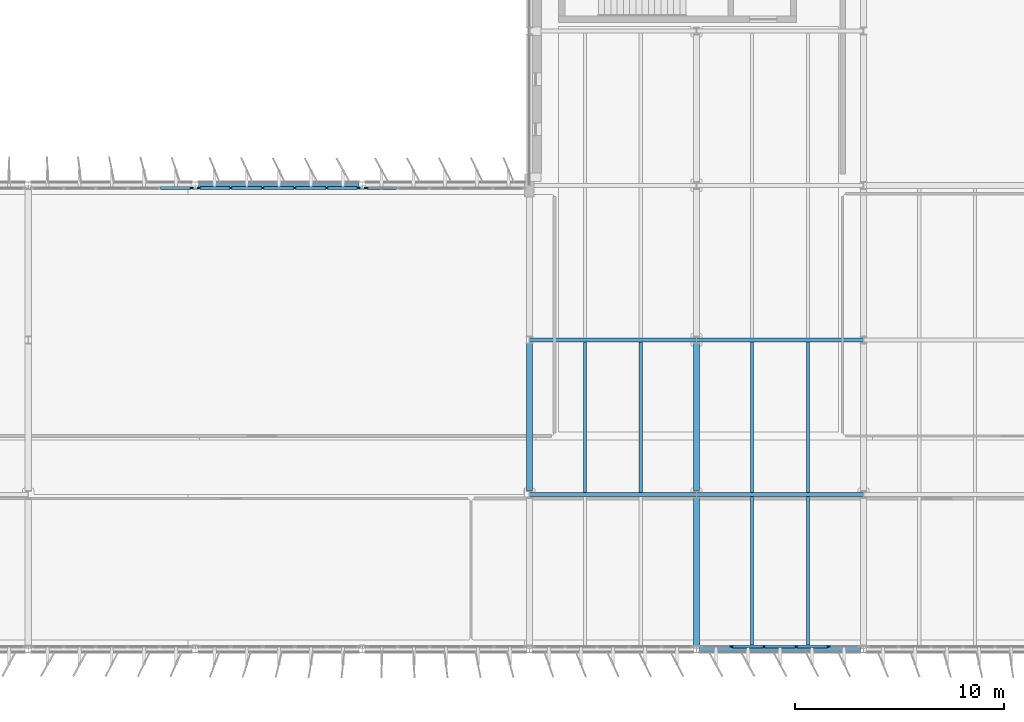
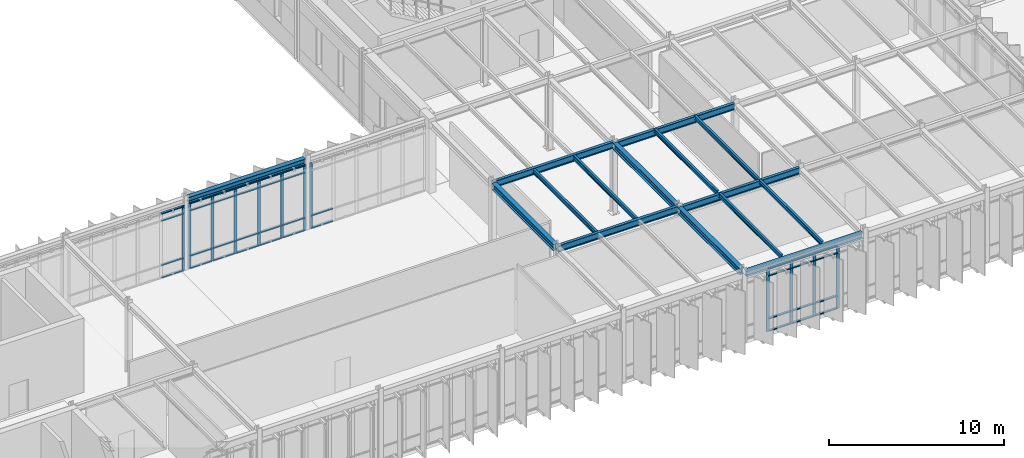
# One storey, part 17 of 48: 50 members, 15 beams, 4 elements without a shape of their own.
"""IFC4 building model written with IfcOpenShell, lengths in metres."""

from ifc_helpers import new_model, si_unit, direction, frame, origin, origin_2d, place, context, subcontext, project, spatial, rectangle, i_section, extrude, material, layer, layer_set, material_profile, profile_set, type_object, element, aggregate, save


model = new_model("IFC4")

# Units and contexts
model_context = context("Model", 3, precision=1e-05, world=origin(), true_north=direction((0.0, 1.0)))
body_context = subcontext(model_context, "Body", "Model", "MODEL_VIEW")
ifc_project = project(units=[si_unit("LENGTHUNIT", "METRE"), si_unit("AREAUNIT", "SQUARE_METRE"), si_unit("VOLUMEUNIT", "CUBIC_METRE"), si_unit("PLANEANGLEUNIT", "RADIAN"), si_unit("MASSUNIT", "GRAM", prefix="KILO")], contexts=[model_context])

# Site, building, storey
site_placement = place(None, origin())
site = spatial("IfcSite", under=ifc_project, at=site_placement, CompositionType="ELEMENT")
building_placement = place(site_placement, origin())
building = spatial("IfcBuilding", under=site, at=building_placement, Name="Valkorina Park Police Headquarters", CompositionType="ELEMENT")
storey_placement = place(building_placement, frame((0.0, 0.0, 18.10009765625)))
storey = spatial("IfcBuildingStorey", under=building, at=storey_placement, Name="L05", CompositionType="ELEMENT", Elevation=18.10009765625)

# Beams
ifc_material_1 = material(Name="Steel S355", Category="steel")
ifc_material_profile_1 = material_profile(ifc_material_1, i_section(OverallWidth=0.300048828125, OverallDepth=0.389892578125, WebThickness=0.010986328125, FlangeThickness=0.01904296875, FilletRadius=0.027099609375, at=origin_2d()), Name="HEA 400")
ifc_profile_set_1 = profile_set([ifc_material_profile_1], Name="Steel S355")
beam_type_1 = type_object("IfcBeamType", Name="BM-S355-HEA400-SPN", PredefinedType="SPANDREL", material=ifc_profile_set_1)
for number, where, z_axis, x_axis, name in (
    (1, (88.949951171875, 37.0, 4.6748046875), (1.0, 0.0, 0.0), (0.0, 1.0, 0.0), "L05 Framing Beam 2465"),
    (2, (64.949951171875, 59.199951171875, 4.784912109375), (1.0, 0.0, 0.0), (0.0, 1.0, 0.0), "L05 Framing Beam 2495"),
):
    element("IfcBeam", number, at=place(storey_placement, frame(where, z_axis=z_axis, x_axis=x_axis)), inside=storey, type_object=beam_type_1, Name=name, PredefinedType="SPANDREL", context=body_context, shape_type="SweptSolid", body=[
        extrude(i_section(OverallWidth=0.300048828125, OverallDepth=0.389892578125, WebThickness=0.010986328125, FlangeThickness=0.01904296875, FilletRadius=0.027099609375, at=origin_2d()), origin(), (0.0, 0.0, 1.0), 7.699951171875),
    ])
ifc_material_profile_2 = material_profile(ifc_material_1, i_section(OverallWidth=0.300048828125, OverallDepth=0.449951171875, WebThickness=0.013916015625, FlangeThickness=0.02587890625, FilletRadius=0.027099609375, at=origin_2d()), Name="HEB 450")
ifc_profile_set_2 = profile_set([ifc_material_profile_2], Name="Steel S355")
beam_type_2 = type_object("IfcBeamType", Name="BM-S355-HEB450-BM", PredefinedType="BEAM", material=ifc_profile_set_2)
for number, where, z_axis, x_axis, name in (
    (3, (80.800048828125, 44.580078125, 4.7548828125), (0.0, 1.0, 0.0), (-1.0, 0.0, 0.0), "L05 Framing Beam 2550"),
    (4, (88.800048828125, 37.179931640625, 4.7548828125), (0.0, 1.0, 0.0), (-1.0, 0.0, 0.0), "L05 Framing Beam 2563"),
    (5, (88.800048828125, 44.580078125, 4.7548828125), (0.0, 1.0, 0.0), (-1.0, 0.0, 0.0), "L05 Framing Beam 2566"),
):
    element("IfcBeam", number, at=place(storey_placement, frame(where, z_axis=z_axis, x_axis=x_axis)), inside=storey, type_object=beam_type_2, Name=name, PredefinedType="BEAM", context=body_context, shape_type="SweptSolid", body=[
        extrude(i_section(OverallWidth=0.300048828125, OverallDepth=0.449951171875, WebThickness=0.013916015625, FlangeThickness=0.02587890625, FilletRadius=0.027099609375, at=origin_2d()), origin(), (0.0, 0.0, 1.0), 7.0400390625),
    ])
ifc_material_profile_3 = material_profile(ifc_material_1, i_section(OverallWidth=0.14990234375, OverallDepth=0.300048828125, WebThickness=0.007080078125, FlangeThickness=0.0107421875, FilletRadius=0.014892578125, at=origin_2d()), Name="IPE 300")
ifc_profile_set_3 = profile_set([ifc_material_profile_3], Name="Steel S355")
beam_type_3 = type_object("IfcBeamType", Name="BM-S355-IPE300-JST", PredefinedType="JOIST", material=ifc_profile_set_3)
for number, where, z_axis, x_axis, name in (
    (6, (83.466796875, 44.4951171875, 4.829833984375), (0.0, 1.0, 0.0), (-1.0, 0.0, 0.0), "L05 Framing Beam 2551"),
    (7, (86.13330078125, 44.4951171875, 4.829833984375), (0.0, 1.0, 0.0), (-1.0, 0.0, 0.0), "L05 Framing Beam 2552"),
):
    element("IfcBeam", number, at=place(storey_placement, frame(where, z_axis=z_axis, x_axis=x_axis)), inside=storey, type_object=beam_type_3, Name=name, PredefinedType="JOIST", context=body_context, shape_type="SweptSolid", body=[
        extrude(i_section(OverallWidth=0.14990234375, OverallDepth=0.300048828125, WebThickness=0.007080078125, FlangeThickness=0.0107421875, FilletRadius=0.014892578125, at=origin_2d()), origin(), (0.0, 0.0, 1.0), 7.2099609375),
    ])
for number, where, z_axis, x_axis, name in (
    (8, (91.466796875, 37.14990234375, 4.829833984375), (0.0, 1.0, 0.0), (-1.0, 0.0, 0.0), "L05 Framing Beam 2564"),
    (9, (94.13330078125, 37.14990234375, 4.829833984375), (0.0, 1.0, 0.0), (-1.0, 0.0, 0.0), "L05 Framing Beam 2565"),
):
    element("IfcBeam", number, at=place(storey_placement, frame(where, z_axis=z_axis, x_axis=x_axis)), inside=storey, type_object=beam_type_3, Name=name, PredefinedType="JOIST", context=body_context, shape_type="SweptSolid", body=[
        extrude(i_section(OverallWidth=0.14990234375, OverallDepth=0.300048828125, WebThickness=0.007080078125, FlangeThickness=0.0107421875, FilletRadius=0.014892578125, at=origin_2d()), origin(), (0.0, 0.0, 1.0), 7.155029296875),
    ])
for number, where, z_axis, x_axis, name in (
    (10, (91.466796875, 44.4951171875, 4.829833984375), (0.0, 1.0, 0.0), (-1.0, 0.0, 0.0), "L05 Framing Beam 2567"),
    (11, (94.13330078125, 44.4951171875, 4.829833984375), (0.0, 1.0, 0.0), (-1.0, 0.0, 0.0), "L05 Framing Beam 2568"),
):
    element("IfcBeam", number, at=place(storey_placement, frame(where, z_axis=z_axis, x_axis=x_axis)), inside=storey, type_object=beam_type_3, Name=name, PredefinedType="JOIST", context=body_context, shape_type="SweptSolid", body=[
        extrude(i_section(OverallWidth=0.14990234375, OverallDepth=0.300048828125, WebThickness=0.007080078125, FlangeThickness=0.0107421875, FilletRadius=0.014892578125, at=origin_2d()), origin(), (0.0, 0.0, 1.0), 7.2099609375),
    ])
ifc_material_profile_4 = material_profile(ifc_material_1, i_section(OverallWidth=0.18994140625, OverallDepth=0.449951171875, WebThickness=0.009521484375, FlangeThickness=0.0146484375, FilletRadius=0.02099609375, at=origin_2d()), Name="IPE 450")
ifc_profile_set_4 = profile_set([ifc_material_profile_4], Name="Steel S355")
beam_type_4 = type_object("IfcBeamType", Name="BM-S355-IPE450-BM", PredefinedType="BEAM", material=ifc_profile_set_4)
for number, where, z_axis, x_axis, name in (
    (12, (80.806396484375, 44.39990234375, 4.7548828125), (1.0, 0.0, 0.0), (0.0, 1.0, 0.0), "L05 Framing Beam 2475"),
    (13, (88.806396484375, 44.39990234375, 4.64501953125), (1.0, 0.0, 0.0), (0.0, 1.0, 0.0), "L05 Framing Beam 2476"),
    (14, (80.806396484375, 51.800048828125, 4.7548828125), (1.0, 0.0, 0.0), (0.0, 1.0, 0.0), "L05 Framing Beam 2483"),
    (15, (88.806396484375, 51.800048828125, 4.64501953125), (1.0, 0.0, 0.0), (0.0, 1.0, 0.0), "L05 Framing Beam 2484"),
):
    element("IfcBeam", number, at=place(storey_placement, frame(where, z_axis=z_axis, x_axis=x_axis)), inside=storey, type_object=beam_type_4, Name=name, PredefinedType="BEAM", context=body_context, shape_type="SweptSolid", body=[
        extrude(i_section(OverallWidth=0.18994140625, OverallDepth=0.449951171875, WebThickness=0.009521484375, FlangeThickness=0.0146484375, FilletRadius=0.02099609375, at=origin_2d()), origin(), (0.0, 0.0, 1.0), 7.9873046875),
    ])

# Curtain wall, members
ifc_material_2 = material(Name="Thermally broken aluminium AW-6060", Category="aluminium")
ifc_layer_1 = layer(ifc_material_2, 0.18994140625)
ifc_layer_set_1 = layer_set([ifc_layer_1], Name="Thermally broken aluminium AW-6060")
curtain_wall_type_1 = type_object("IfcCurtainWallType", Name="CW-V5-7680x4410", PredefinedType="NOTDEFINED", material=ifc_layer_set_1)
curtain_wall_1_placement = place(storey_placement, origin())
curtain_wall_1 = element("IfcCurtainWall", 16, at=curtain_wall_1_placement, inside=storey, type_object=curtain_wall_type_1, Name="L05 Unitised Curtain Wall 063", PredefinedType="NOTDEFINED")
ifc_material_profile_5 = material_profile(ifc_material_2, rectangle(XDim=0.070068359375, YDim=0.18994140625, at=origin_2d()), Name="CWM-02 70x190")
ifc_profile_set_5 = profile_set([ifc_material_profile_5], Name="Thermally broken aluminium AW-6060")
member_type_1 = type_object("IfcMemberType", Name="CWM-70x190", PredefinedType="MULLION", material=ifc_profile_set_5)
member_1_placement = place(storey_placement, frame((95.10400390625, 37.1201171875, 0.0), z_axis=(0.0, 0.0, 1.0), x_axis=(0.0, -1.0, 0.0)))
member_1 = element("IfcMember", 17, at=member_1_placement, type_object=member_type_1, Name="CW-V5-768-441 mullion 2", PredefinedType="MULLION", context=body_context, shape_type="SweptSolid", body=[
    extrude(rectangle(XDim=0.070068359375, YDim=0.18994140625, at=origin_2d()), origin(), (0.0, 0.0, 1.0), 4.409912109375),
])
member_2_placement = place(storey_placement, frame((93.568115234375, 37.1201171875, 0.0), z_axis=(0.0, 0.0, 1.0), x_axis=(0.0, -1.0, 0.0)))
member_2 = element("IfcMember", 18, at=member_2_placement, type_object=member_type_1, Name="CW-V5-768-441 mullion 3", PredefinedType="MULLION", context=body_context, shape_type="SweptSolid", body=[
    extrude(rectangle(XDim=0.070068359375, YDim=0.18994140625, at=origin_2d()), origin(), (0.0, 0.0, 1.0), 4.409912109375),
])
member_3_placement = place(storey_placement, frame((92.031982421875, 37.1201171875, 0.0), z_axis=(0.0, 0.0, 1.0), x_axis=(0.0, -1.0, 0.0)))
member_3 = element("IfcMember", 19, at=member_3_placement, type_object=member_type_1, Name="CW-V5-768-441 mullion 4", PredefinedType="MULLION", context=body_context, shape_type="SweptSolid", body=[
    extrude(rectangle(XDim=0.070068359375, YDim=0.18994140625, at=origin_2d()), origin(), (0.0, 0.0, 1.0), 4.409912109375),
])
member_4_placement = place(storey_placement, frame((90.49609375, 37.1201171875, 0.0), z_axis=(0.0, 0.0, 1.0), x_axis=(0.0, -1.0, 0.0)))
member_4 = element("IfcMember", 20, at=member_4_placement, type_object=member_type_1, Name="CW-V5-768-441 mullion 5", PredefinedType="MULLION", context=body_context, shape_type="SweptSolid", body=[
    extrude(rectangle(XDim=0.070068359375, YDim=0.18994140625, at=origin_2d()), origin(), (0.0, 0.0, 1.0), 4.409912109375),
])

# Curtain wall, member
ifc_layer_2 = layer(ifc_material_2, 0.18994140625)
ifc_layer_set_2 = layer_set([ifc_layer_2], Name="Thermally broken aluminium AW-6060")
curtain_wall_type_2 = type_object("IfcCurtainWallType", Name="CW-V5-7680x4520", PredefinedType="NOTDEFINED", material=ifc_layer_set_2)
curtain_wall_2_placement = place(storey_placement, origin())
curtain_wall_2 = element("IfcCurtainWall", 21, at=curtain_wall_2_placement, inside=storey, type_object=curtain_wall_type_2, Name="L05 Unitised Curtain Wall 085", PredefinedType="NOTDEFINED")
member_5_placement = place(storey_placement, frame((64.60498046875, 59.080078125, 0.0), z_axis=(0.0, 0.0, 1.0), x_axis=(0.0, 1.0, 0.0)))
member_5 = element("IfcMember", 22, at=member_5_placement, type_object=member_type_1, Name="CW-V5-768-452 mullion 6", PredefinedType="MULLION", context=body_context, shape_type="SweptSolid", body=[
    extrude(rectangle(XDim=0.070068359375, YDim=0.18994140625, at=origin_2d()), origin(), (0.0, 0.0, 1.0), 4.52001953125),
])

# Curtain wall, members
ifc_layer_3 = layer(ifc_material_2, 0.18994140625)
ifc_layer_set_3 = layer_set([ifc_layer_3], Name="Thermally broken aluminium AW-6060")
curtain_wall_type_3 = type_object("IfcCurtainWallType", Name="CW-V5-7680x4580", PredefinedType="NOTDEFINED", material=ifc_layer_set_3)
curtain_wall_3_placement = place(storey_placement, origin())
curtain_wall_3 = element("IfcCurtainWall", 23, at=curtain_wall_3_placement, inside=storey, type_object=curtain_wall_type_3, Name="L05 Unitised Curtain Wall 086", PredefinedType="NOTDEFINED")
member_6_placement = place(storey_placement, frame((64.9951171875, 59.080078125, 0.0), z_axis=(0.0, 0.0, 1.0), x_axis=(0.0, 1.0, 0.0)))
member_6 = element("IfcMember", 24, at=member_6_placement, type_object=member_type_1, Name="CW-V5-768-458 mullion 1", PredefinedType="MULLION", context=body_context, shape_type="SweptSolid", body=[
    extrude(rectangle(XDim=0.070068359375, YDim=0.18994140625, at=origin_2d()), origin(), (0.0, 0.0, 1.0), 4.579833984375),
])
member_7_placement = place(storey_placement, frame((66.49609375, 59.080078125, 0.0), z_axis=(0.0, 0.0, 1.0), x_axis=(0.0, 1.0, 0.0)))
member_7 = element("IfcMember", 25, at=member_7_placement, type_object=member_type_1, Name="CW-V5-768-458 mullion 2", PredefinedType="MULLION", context=body_context, shape_type="SweptSolid", body=[
    extrude(rectangle(XDim=0.070068359375, YDim=0.18994140625, at=origin_2d()), origin(), (0.0, 0.0, 1.0), 4.579833984375),
])
member_8_placement = place(storey_placement, frame((68.031982421875, 59.080078125, 0.0), z_axis=(0.0, 0.0, 1.0), x_axis=(0.0, 1.0, 0.0)))
member_8 = element("IfcMember", 26, at=member_8_placement, type_object=member_type_1, Name="CW-V5-768-458 mullion 3", PredefinedType="MULLION", context=body_context, shape_type="SweptSolid", body=[
    extrude(rectangle(XDim=0.070068359375, YDim=0.18994140625, at=origin_2d()), origin(), (0.0, 0.0, 1.0), 4.579833984375),
])
member_9_placement = place(storey_placement, frame((69.568115234375, 59.080078125, 0.0), z_axis=(0.0, 0.0, 1.0), x_axis=(0.0, 1.0, 0.0)))
member_9 = element("IfcMember", 27, at=member_9_placement, type_object=member_type_1, Name="CW-V5-768-458 mullion 4", PredefinedType="MULLION", context=body_context, shape_type="SweptSolid", body=[
    extrude(rectangle(XDim=0.070068359375, YDim=0.18994140625, at=origin_2d()), origin(), (0.0, 0.0, 1.0), 4.579833984375),
])
member_10_placement = place(storey_placement, frame((71.10400390625, 59.080078125, 0.0), z_axis=(0.0, 0.0, 1.0), x_axis=(0.0, 1.0, 0.0)))
member_10 = element("IfcMember", 28, at=member_10_placement, type_object=member_type_1, Name="CW-V5-768-458 mullion 5", PredefinedType="MULLION", context=body_context, shape_type="SweptSolid", body=[
    extrude(rectangle(XDim=0.070068359375, YDim=0.18994140625, at=origin_2d()), origin(), (0.0, 0.0, 1.0), 4.579833984375),
])
member_11_placement = place(storey_placement, frame((72.60498046875, 59.080078125, 0.0), z_axis=(0.0, 0.0, 1.0), x_axis=(0.0, 1.0, 0.0)))
member_11 = element("IfcMember", 29, at=member_11_placement, type_object=member_type_1, Name="CW-V5-768-458 mullion 6", PredefinedType="MULLION", context=body_context, shape_type="SweptSolid", body=[
    extrude(rectangle(XDim=0.070068359375, YDim=0.18994140625, at=origin_2d()), origin(), (0.0, 0.0, 1.0), 4.579833984375),
])

# Curtain wall, member
ifc_layer_4 = layer(ifc_material_2, 0.18994140625)
ifc_layer_set_4 = layer_set([ifc_layer_4], Name="Thermally broken aluminium AW-6060")
curtain_wall_type_4 = type_object("IfcCurtainWallType", Name="CW-V5-7600x4580", PredefinedType="NOTDEFINED", material=ifc_layer_set_4)
curtain_wall_4_placement = place(storey_placement, origin())
curtain_wall_4 = element("IfcCurtainWall", 30, at=curtain_wall_4_placement, inside=storey, type_object=curtain_wall_type_4, Name="L05 Unitised Curtain Wall 087", PredefinedType="NOTDEFINED")
member_12_placement = place(storey_placement, frame((72.9951171875, 59.080078125, 0.0), z_axis=(0.0, 0.0, 1.0), x_axis=(0.0, 1.0, 0.0)))
member_12 = element("IfcMember", 31, at=member_12_placement, type_object=member_type_1, Name="CW-V5-760-458 mullion 1", PredefinedType="MULLION", context=body_context, shape_type="SweptSolid", body=[
    extrude(rectangle(XDim=0.070068359375, YDim=0.18994140625, at=origin_2d()), origin(), (0.0, 0.0, 1.0), 4.579833984375),
])

# Member
ifc_material_profile_6 = material_profile(ifc_material_2, rectangle(XDim=0.14990234375, YDim=0.070068359375, at=origin_2d()), Name="CWT-02 150x70")
ifc_profile_set_6 = profile_set([ifc_material_profile_6], Name="Thermally broken aluminium AW-6060")
member_type_2 = type_object("IfcMemberType", Name="CWT-150x70", PredefinedType="USERDEFINED", material=ifc_profile_set_6)
member_13_placement = place(storey_placement, frame((95.069091796875, 37.1201171875, 0.034912109375), z_axis=(-1.0, 0.0, 0.0), x_axis=(0.0, -1.0, 0.0)))
member_13 = element("IfcMember", 32, at=member_13_placement, type_object=member_type_2, Name="CW-V5-768-441 transom 2.1", ObjectType="TRANSOM", PredefinedType="USERDEFINED", context=body_context, shape_type="SweptSolid", body=[
    extrude(rectangle(XDim=0.14990234375, YDim=0.070068359375, at=origin_2d()), origin(), (0.0, 0.0, 1.0), 1.466064453125),
])

member_14_placement = place(storey_placement, frame((95.069091796875, 37.1201171875, 0.89990234375), z_axis=(-1.0, 0.0, 0.0), x_axis=(0.0, -1.0, 0.0)))
member_14 = element("IfcMember", 33, at=member_14_placement, type_object=member_type_2, Name="CW-V5-768-441 transom 2.2", ObjectType="TRANSOM", PredefinedType="USERDEFINED", context=body_context, shape_type="SweptSolid", body=[
    extrude(rectangle(XDim=0.14990234375, YDim=0.070068359375, at=origin_2d()), origin(), (0.0, 0.0, 1.0), 1.466064453125),
])

member_15_placement = place(storey_placement, frame((95.069091796875, 37.1201171875, 3.889892578125), z_axis=(-1.0, 0.0, 0.0), x_axis=(0.0, -1.0, 0.0)))
member_15 = element("IfcMember", 34, at=member_15_placement, type_object=member_type_2, Name="CW-V5-768-441 transom 2.3", ObjectType="TRANSOM", PredefinedType="USERDEFINED", context=body_context, shape_type="SweptSolid", body=[
    extrude(rectangle(XDim=0.14990234375, YDim=0.070068359375, at=origin_2d()), origin(), (0.0, 0.0, 1.0), 1.466064453125),
])

member_16_placement = place(storey_placement, frame((95.069091796875, 37.1201171875, 4.375), z_axis=(-1.0, 0.0, 0.0), x_axis=(0.0, -1.0, 0.0)))
member_16 = element("IfcMember", 35, at=member_16_placement, type_object=member_type_2, Name="CW-V5-768-441 transom 2.4", ObjectType="TRANSOM", PredefinedType="USERDEFINED", context=body_context, shape_type="SweptSolid", body=[
    extrude(rectangle(XDim=0.14990234375, YDim=0.070068359375, at=origin_2d()), origin(), (0.0, 0.0, 1.0), 1.466064453125),
])

member_17_placement = place(storey_placement, frame((93.532958984375, 37.1201171875, 0.034912109375), z_axis=(-1.0, 0.0, 0.0), x_axis=(0.0, -1.0, 0.0)))
member_17 = element("IfcMember", 36, at=member_17_placement, type_object=member_type_2, Name="CW-V5-768-441 transom 3.1", ObjectType="TRANSOM", PredefinedType="USERDEFINED", context=body_context, shape_type="SweptSolid", body=[
    extrude(rectangle(XDim=0.14990234375, YDim=0.070068359375, at=origin_2d()), origin(), (0.0, 0.0, 1.0), 1.466064453125),
])

member_18_placement = place(storey_placement, frame((93.532958984375, 37.1201171875, 0.89990234375), z_axis=(-1.0, 0.0, 0.0), x_axis=(0.0, -1.0, 0.0)))
member_18 = element("IfcMember", 37, at=member_18_placement, type_object=member_type_2, Name="CW-V5-768-441 transom 3.2", ObjectType="TRANSOM", PredefinedType="USERDEFINED", context=body_context, shape_type="SweptSolid", body=[
    extrude(rectangle(XDim=0.14990234375, YDim=0.070068359375, at=origin_2d()), origin(), (0.0, 0.0, 1.0), 1.466064453125),
])

member_19_placement = place(storey_placement, frame((93.532958984375, 37.1201171875, 3.889892578125), z_axis=(-1.0, 0.0, 0.0), x_axis=(0.0, -1.0, 0.0)))
member_19 = element("IfcMember", 38, at=member_19_placement, type_object=member_type_2, Name="CW-V5-768-441 transom 3.3", ObjectType="TRANSOM", PredefinedType="USERDEFINED", context=body_context, shape_type="SweptSolid", body=[
    extrude(rectangle(XDim=0.14990234375, YDim=0.070068359375, at=origin_2d()), origin(), (0.0, 0.0, 1.0), 1.466064453125),
])

member_20_placement = place(storey_placement, frame((93.532958984375, 37.1201171875, 4.375), z_axis=(-1.0, 0.0, 0.0), x_axis=(0.0, -1.0, 0.0)))
member_20 = element("IfcMember", 39, at=member_20_placement, type_object=member_type_2, Name="CW-V5-768-441 transom 3.4", ObjectType="TRANSOM", PredefinedType="USERDEFINED", context=body_context, shape_type="SweptSolid", body=[
    extrude(rectangle(XDim=0.14990234375, YDim=0.070068359375, at=origin_2d()), origin(), (0.0, 0.0, 1.0), 1.466064453125),
])

member_21_placement = place(storey_placement, frame((91.9970703125, 37.1201171875, 0.034912109375), z_axis=(-1.0, 0.0, 0.0), x_axis=(0.0, -1.0, 0.0)))
member_21 = element("IfcMember", 40, at=member_21_placement, type_object=member_type_2, Name="CW-V5-768-441 transom 4.1", ObjectType="TRANSOM", PredefinedType="USERDEFINED", context=body_context, shape_type="SweptSolid", body=[
    extrude(rectangle(XDim=0.14990234375, YDim=0.070068359375, at=origin_2d()), origin(), (0.0, 0.0, 1.0), 1.466064453125),
])

member_22_placement = place(storey_placement, frame((91.9970703125, 37.1201171875, 0.89990234375), z_axis=(-1.0, 0.0, 0.0), x_axis=(0.0, -1.0, 0.0)))
member_22 = element("IfcMember", 41, at=member_22_placement, type_object=member_type_2, Name="CW-V5-768-441 transom 4.2", ObjectType="TRANSOM", PredefinedType="USERDEFINED", context=body_context, shape_type="SweptSolid", body=[
    extrude(rectangle(XDim=0.14990234375, YDim=0.070068359375, at=origin_2d()), origin(), (0.0, 0.0, 1.0), 1.466064453125),
])

member_23_placement = place(storey_placement, frame((91.9970703125, 37.1201171875, 3.889892578125), z_axis=(-1.0, 0.0, 0.0), x_axis=(0.0, -1.0, 0.0)))
member_23 = element("IfcMember", 42, at=member_23_placement, type_object=member_type_2, Name="CW-V5-768-441 transom 4.3", ObjectType="TRANSOM", PredefinedType="USERDEFINED", context=body_context, shape_type="SweptSolid", body=[
    extrude(rectangle(XDim=0.14990234375, YDim=0.070068359375, at=origin_2d()), origin(), (0.0, 0.0, 1.0), 1.466064453125),
])

member_24_placement = place(storey_placement, frame((91.9970703125, 37.1201171875, 4.375), z_axis=(-1.0, 0.0, 0.0), x_axis=(0.0, -1.0, 0.0)))
member_24 = element("IfcMember", 43, at=member_24_placement, type_object=member_type_2, Name="CW-V5-768-441 transom 4.4", ObjectType="TRANSOM", PredefinedType="USERDEFINED", context=body_context, shape_type="SweptSolid", body=[
    extrude(rectangle(XDim=0.14990234375, YDim=0.070068359375, at=origin_2d()), origin(), (0.0, 0.0, 1.0), 1.466064453125),
])

aggregate(curtain_wall_1, [member_1, member_2, member_3, member_4, member_13, member_14, member_15, member_16, member_17, member_18, member_19, member_20, member_21, member_22, member_23, member_24])

member_25_placement = place(storey_placement, frame((63.138916015625, 59.080078125, 0.034912109375), z_axis=(1.0, 0.0, 0.0), x_axis=(0.0, 1.0, 0.0)))
member_25 = element("IfcMember", 44, at=member_25_placement, type_object=member_type_2, Name="CW-V5-768-452 transom 5.1", ObjectType="TRANSOM", PredefinedType="USERDEFINED", context=body_context, shape_type="SweptSolid", body=[
    extrude(rectangle(XDim=0.14990234375, YDim=0.070068359375, at=origin_2d()), origin(), (0.0, 0.0, 1.0), 1.43115234375),
])

member_26_placement = place(storey_placement, frame((63.138916015625, 59.080078125, 0.89990234375), z_axis=(1.0, 0.0, 0.0), x_axis=(0.0, 1.0, 0.0)))
member_26 = element("IfcMember", 45, at=member_26_placement, type_object=member_type_2, Name="CW-V5-768-452 transom 5.2", ObjectType="TRANSOM", PredefinedType="USERDEFINED", context=body_context, shape_type="SweptSolid", body=[
    extrude(rectangle(XDim=0.14990234375, YDim=0.070068359375, at=origin_2d()), origin(), (0.0, 0.0, 1.0), 1.43115234375),
])

member_27_placement = place(storey_placement, frame((63.138916015625, 59.080078125, 4.0), z_axis=(1.0, 0.0, 0.0), x_axis=(0.0, 1.0, 0.0)))
member_27 = element("IfcMember", 46, at=member_27_placement, type_object=member_type_2, Name="CW-V5-768-452 transom 5.3", ObjectType="TRANSOM", PredefinedType="USERDEFINED", context=body_context, shape_type="SweptSolid", body=[
    extrude(rectangle(XDim=0.14990234375, YDim=0.070068359375, at=origin_2d()), origin(), (0.0, 0.0, 1.0), 1.43115234375),
])

member_28_placement = place(storey_placement, frame((63.138916015625, 59.080078125, 4.48486328125), z_axis=(1.0, 0.0, 0.0), x_axis=(0.0, 1.0, 0.0)))
member_28 = element("IfcMember", 47, at=member_28_placement, type_object=member_type_2, Name="CW-V5-768-452 transom 5.4", ObjectType="TRANSOM", PredefinedType="USERDEFINED", context=body_context, shape_type="SweptSolid", body=[
    extrude(rectangle(XDim=0.14990234375, YDim=0.070068359375, at=origin_2d()), origin(), (0.0, 0.0, 1.0), 1.43115234375),
])

aggregate(curtain_wall_2, [member_5, member_25, member_26, member_27, member_28])

member_29_placement = place(storey_placement, frame((65.030029296875, 59.080078125, 0.034912109375), z_axis=(1.0, 0.0, 0.0), x_axis=(0.0, 1.0, 0.0)))
member_29 = element("IfcMember", 48, at=member_29_placement, type_object=member_type_2, Name="CW-V5-768-458 transom 1.1", ObjectType="TRANSOM", PredefinedType="USERDEFINED", context=body_context, shape_type="SweptSolid", body=[
    extrude(rectangle(XDim=0.14990234375, YDim=0.070068359375, at=origin_2d()), origin(), (0.0, 0.0, 1.0), 1.430908203125),
])

member_30_placement = place(storey_placement, frame((65.030029296875, 59.080078125, 0.89990234375), z_axis=(1.0, 0.0, 0.0), x_axis=(0.0, 1.0, 0.0)))
member_30 = element("IfcMember", 49, at=member_30_placement, type_object=member_type_2, Name="CW-V5-768-458 transom 1.2", ObjectType="TRANSOM", PredefinedType="USERDEFINED", context=body_context, shape_type="SweptSolid", body=[
    extrude(rectangle(XDim=0.14990234375, YDim=0.070068359375, at=origin_2d()), origin(), (0.0, 0.0, 1.0), 1.430908203125),
])

member_31_placement = place(storey_placement, frame((65.030029296875, 59.080078125, 4.059814453125), z_axis=(1.0, 0.0, 0.0), x_axis=(0.0, 1.0, 0.0)))
member_31 = element("IfcMember", 50, at=member_31_placement, type_object=member_type_2, Name="CW-V5-768-458 transom 1.3", ObjectType="TRANSOM", PredefinedType="USERDEFINED", context=body_context, shape_type="SweptSolid", body=[
    extrude(rectangle(XDim=0.14990234375, YDim=0.070068359375, at=origin_2d()), origin(), (0.0, 0.0, 1.0), 1.430908203125),
])

member_32_placement = place(storey_placement, frame((65.030029296875, 59.080078125, 4.544921875), z_axis=(1.0, 0.0, 0.0), x_axis=(0.0, 1.0, 0.0)))
member_32 = element("IfcMember", 51, at=member_32_placement, type_object=member_type_2, Name="CW-V5-768-458 transom 1.4", ObjectType="TRANSOM", PredefinedType="USERDEFINED", context=body_context, shape_type="SweptSolid", body=[
    extrude(rectangle(XDim=0.14990234375, YDim=0.070068359375, at=origin_2d()), origin(), (0.0, 0.0, 1.0), 1.430908203125),
])

member_33_placement = place(storey_placement, frame((66.531005859375, 59.080078125, 0.034912109375), z_axis=(1.0, 0.0, 0.0), x_axis=(0.0, 1.0, 0.0)))
member_33 = element("IfcMember", 52, at=member_33_placement, type_object=member_type_2, Name="CW-V5-768-458 transom 2.1", ObjectType="TRANSOM", PredefinedType="USERDEFINED", context=body_context, shape_type="SweptSolid", body=[
    extrude(rectangle(XDim=0.14990234375, YDim=0.070068359375, at=origin_2d()), origin(), (0.0, 0.0, 1.0), 1.466064453125),
])

member_34_placement = place(storey_placement, frame((66.531005859375, 59.080078125, 0.89990234375), z_axis=(1.0, 0.0, 0.0), x_axis=(0.0, 1.0, 0.0)))
member_34 = element("IfcMember", 53, at=member_34_placement, type_object=member_type_2, Name="CW-V5-768-458 transom 2.2", ObjectType="TRANSOM", PredefinedType="USERDEFINED", context=body_context, shape_type="SweptSolid", body=[
    extrude(rectangle(XDim=0.14990234375, YDim=0.070068359375, at=origin_2d()), origin(), (0.0, 0.0, 1.0), 1.466064453125),
])

member_35_placement = place(storey_placement, frame((66.531005859375, 59.080078125, 4.059814453125), z_axis=(1.0, 0.0, 0.0), x_axis=(0.0, 1.0, 0.0)))
member_35 = element("IfcMember", 54, at=member_35_placement, type_object=member_type_2, Name="CW-V5-768-458 transom 2.3", ObjectType="TRANSOM", PredefinedType="USERDEFINED", context=body_context, shape_type="SweptSolid", body=[
    extrude(rectangle(XDim=0.14990234375, YDim=0.070068359375, at=origin_2d()), origin(), (0.0, 0.0, 1.0), 1.466064453125),
])

member_36_placement = place(storey_placement, frame((66.531005859375, 59.080078125, 4.544921875), z_axis=(1.0, 0.0, 0.0), x_axis=(0.0, 1.0, 0.0)))
member_36 = element("IfcMember", 55, at=member_36_placement, type_object=member_type_2, Name="CW-V5-768-458 transom 2.4", ObjectType="TRANSOM", PredefinedType="USERDEFINED", context=body_context, shape_type="SweptSolid", body=[
    extrude(rectangle(XDim=0.14990234375, YDim=0.070068359375, at=origin_2d()), origin(), (0.0, 0.0, 1.0), 1.466064453125),
])

member_37_placement = place(storey_placement, frame((68.06689453125, 59.080078125, 0.034912109375), z_axis=(1.0, 0.0, 0.0), x_axis=(0.0, 1.0, 0.0)))
member_37 = element("IfcMember", 56, at=member_37_placement, type_object=member_type_2, Name="CW-V5-768-458 transom 3.1", ObjectType="TRANSOM", PredefinedType="USERDEFINED", context=body_context, shape_type="SweptSolid", body=[
    extrude(rectangle(XDim=0.14990234375, YDim=0.070068359375, at=origin_2d()), origin(), (0.0, 0.0, 1.0), 1.466064453125),
])

member_38_placement = place(storey_placement, frame((68.06689453125, 59.080078125, 0.89990234375), z_axis=(1.0, 0.0, 0.0), x_axis=(0.0, 1.0, 0.0)))
member_38 = element("IfcMember", 57, at=member_38_placement, type_object=member_type_2, Name="CW-V5-768-458 transom 3.2", ObjectType="TRANSOM", PredefinedType="USERDEFINED", context=body_context, shape_type="SweptSolid", body=[
    extrude(rectangle(XDim=0.14990234375, YDim=0.070068359375, at=origin_2d()), origin(), (0.0, 0.0, 1.0), 1.466064453125),
])

member_39_placement = place(storey_placement, frame((68.06689453125, 59.080078125, 4.059814453125), z_axis=(1.0, 0.0, 0.0), x_axis=(0.0, 1.0, 0.0)))
member_39 = element("IfcMember", 58, at=member_39_placement, type_object=member_type_2, Name="CW-V5-768-458 transom 3.3", ObjectType="TRANSOM", PredefinedType="USERDEFINED", context=body_context, shape_type="SweptSolid", body=[
    extrude(rectangle(XDim=0.14990234375, YDim=0.070068359375, at=origin_2d()), origin(), (0.0, 0.0, 1.0), 1.466064453125),
])

member_40_placement = place(storey_placement, frame((68.06689453125, 59.080078125, 4.544921875), z_axis=(1.0, 0.0, 0.0), x_axis=(0.0, 1.0, 0.0)))
member_40 = element("IfcMember", 59, at=member_40_placement, type_object=member_type_2, Name="CW-V5-768-458 transom 3.4", ObjectType="TRANSOM", PredefinedType="USERDEFINED", context=body_context, shape_type="SweptSolid", body=[
    extrude(rectangle(XDim=0.14990234375, YDim=0.070068359375, at=origin_2d()), origin(), (0.0, 0.0, 1.0), 1.466064453125),
])

member_41_placement = place(storey_placement, frame((69.60302734375, 59.080078125, 0.034912109375), z_axis=(1.0, 0.0, 0.0), x_axis=(0.0, 1.0, 0.0)))
member_41 = element("IfcMember", 60, at=member_41_placement, type_object=member_type_2, Name="CW-V5-768-458 transom 4.1", ObjectType="TRANSOM", PredefinedType="USERDEFINED", context=body_context, shape_type="SweptSolid", body=[
    extrude(rectangle(XDim=0.14990234375, YDim=0.070068359375, at=origin_2d()), origin(), (0.0, 0.0, 1.0), 1.466064453125),
])

member_42_placement = place(storey_placement, frame((69.60302734375, 59.080078125, 0.89990234375), z_axis=(1.0, 0.0, 0.0), x_axis=(0.0, 1.0, 0.0)))
member_42 = element("IfcMember", 61, at=member_42_placement, type_object=member_type_2, Name="CW-V5-768-458 transom 4.2", ObjectType="TRANSOM", PredefinedType="USERDEFINED", context=body_context, shape_type="SweptSolid", body=[
    extrude(rectangle(XDim=0.14990234375, YDim=0.070068359375, at=origin_2d()), origin(), (0.0, 0.0, 1.0), 1.466064453125),
])

member_43_placement = place(storey_placement, frame((69.60302734375, 59.080078125, 4.059814453125), z_axis=(1.0, 0.0, 0.0), x_axis=(0.0, 1.0, 0.0)))
member_43 = element("IfcMember", 62, at=member_43_placement, type_object=member_type_2, Name="CW-V5-768-458 transom 4.3", ObjectType="TRANSOM", PredefinedType="USERDEFINED", context=body_context, shape_type="SweptSolid", body=[
    extrude(rectangle(XDim=0.14990234375, YDim=0.070068359375, at=origin_2d()), origin(), (0.0, 0.0, 1.0), 1.466064453125),
])

member_44_placement = place(storey_placement, frame((69.60302734375, 59.080078125, 4.544921875), z_axis=(1.0, 0.0, 0.0), x_axis=(0.0, 1.0, 0.0)))
member_44 = element("IfcMember", 63, at=member_44_placement, type_object=member_type_2, Name="CW-V5-768-458 transom 4.4", ObjectType="TRANSOM", PredefinedType="USERDEFINED", context=body_context, shape_type="SweptSolid", body=[
    extrude(rectangle(XDim=0.14990234375, YDim=0.070068359375, at=origin_2d()), origin(), (0.0, 0.0, 1.0), 1.466064453125),
])

member_45_placement = place(storey_placement, frame((71.138916015625, 59.080078125, 0.034912109375), z_axis=(1.0, 0.0, 0.0), x_axis=(0.0, 1.0, 0.0)))
member_45 = element("IfcMember", 64, at=member_45_placement, type_object=member_type_2, Name="CW-V5-768-458 transom 5.1", ObjectType="TRANSOM", PredefinedType="USERDEFINED", context=body_context, shape_type="SweptSolid", body=[
    extrude(rectangle(XDim=0.14990234375, YDim=0.070068359375, at=origin_2d()), origin(), (0.0, 0.0, 1.0), 1.43115234375),
])

member_46_placement = place(storey_placement, frame((71.138916015625, 59.080078125, 0.89990234375), z_axis=(1.0, 0.0, 0.0), x_axis=(0.0, 1.0, 0.0)))
member_46 = element("IfcMember", 65, at=member_46_placement, type_object=member_type_2, Name="CW-V5-768-458 transom 5.2", ObjectType="TRANSOM", PredefinedType="USERDEFINED", context=body_context, shape_type="SweptSolid", body=[
    extrude(rectangle(XDim=0.14990234375, YDim=0.070068359375, at=origin_2d()), origin(), (0.0, 0.0, 1.0), 1.43115234375),
])

member_47_placement = place(storey_placement, frame((71.138916015625, 59.080078125, 4.059814453125), z_axis=(1.0, 0.0, 0.0), x_axis=(0.0, 1.0, 0.0)))
member_47 = element("IfcMember", 66, at=member_47_placement, type_object=member_type_2, Name="CW-V5-768-458 transom 5.3", ObjectType="TRANSOM", PredefinedType="USERDEFINED", context=body_context, shape_type="SweptSolid", body=[
    extrude(rectangle(XDim=0.14990234375, YDim=0.070068359375, at=origin_2d()), origin(), (0.0, 0.0, 1.0), 1.43115234375),
])

member_48_placement = place(storey_placement, frame((71.138916015625, 59.080078125, 4.544921875), z_axis=(1.0, 0.0, 0.0), x_axis=(0.0, 1.0, 0.0)))
member_48 = element("IfcMember", 67, at=member_48_placement, type_object=member_type_2, Name="CW-V5-768-458 transom 5.4", ObjectType="TRANSOM", PredefinedType="USERDEFINED", context=body_context, shape_type="SweptSolid", body=[
    extrude(rectangle(XDim=0.14990234375, YDim=0.070068359375, at=origin_2d()), origin(), (0.0, 0.0, 1.0), 1.43115234375),
])

aggregate(curtain_wall_3, [member_6, member_7, member_8, member_9, member_10, member_11, member_29, member_30, member_31, member_32, member_33, member_34, member_35, member_36, member_37, member_38, member_39, member_40, member_41, member_42, member_43, member_44, member_45, member_46, member_47, member_48])

member_49_placement = place(storey_placement, frame((73.030029296875, 59.080078125, 0.034912109375), z_axis=(1.0, 0.0, 0.0), x_axis=(0.0, 1.0, 0.0)))
member_49 = element("IfcMember", 68, at=member_49_placement, type_object=member_type_2, Name="CW-V5-760-458 transom 1.1", ObjectType="TRANSOM", PredefinedType="USERDEFINED", context=body_context, shape_type="SweptSolid", body=[
    extrude(rectangle(XDim=0.14990234375, YDim=0.070068359375, at=origin_2d()), origin(), (0.0, 0.0, 1.0), 1.416015625),
])

member_50_placement = place(storey_placement, frame((73.030029296875, 59.080078125, 0.89990234375), z_axis=(1.0, 0.0, 0.0), x_axis=(0.0, 1.0, 0.0)))
member_50 = element("IfcMember", 69, at=member_50_placement, type_object=member_type_2, Name="CW-V5-760-458 transom 1.2", ObjectType="TRANSOM", PredefinedType="USERDEFINED", context=body_context, shape_type="SweptSolid", body=[
    extrude(rectangle(XDim=0.14990234375, YDim=0.070068359375, at=origin_2d()), origin(), (0.0, 0.0, 1.0), 1.416015625),
])

aggregate(curtain_wall_4, [member_12, member_49, member_50])

save(model, "model.ifc")
